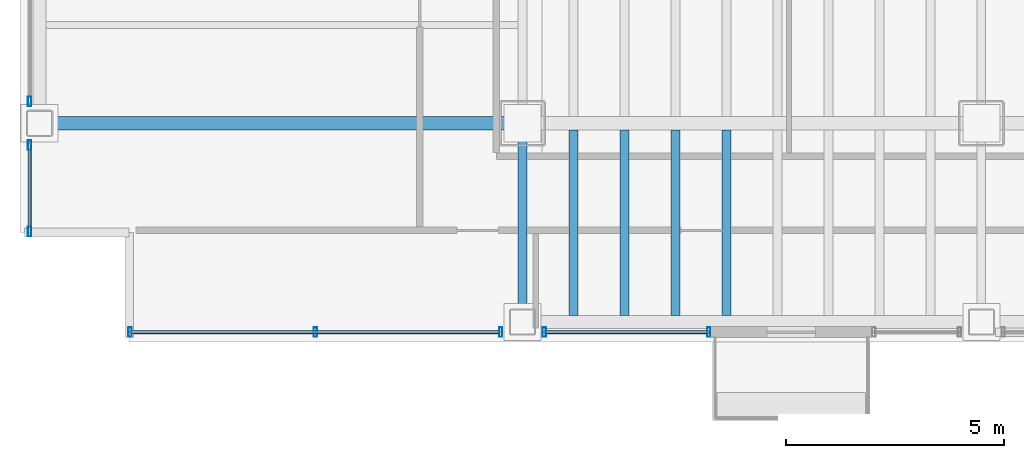
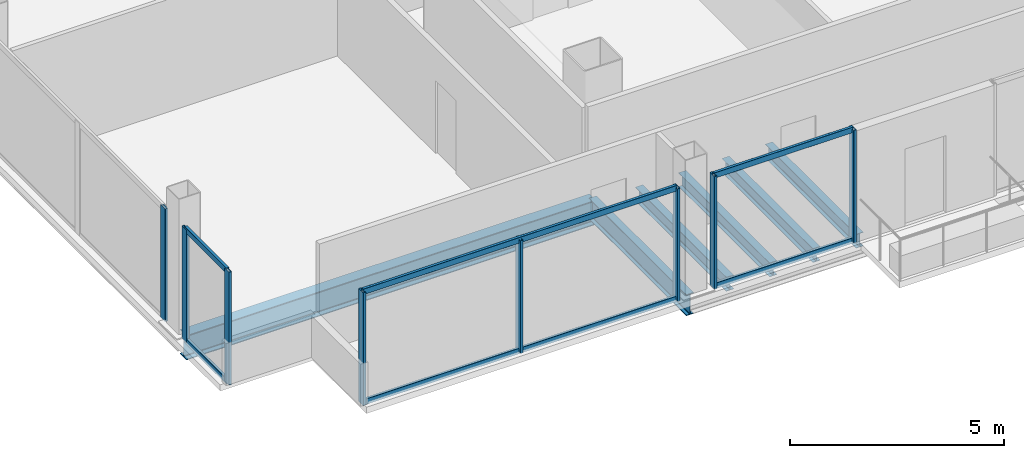
# One storey, part 2 of 21: 14 members, 6 beams, 4 elements without a shape of their own.
"""IFC4 building model written with IfcOpenShell, lengths in metres."""

import ifcopenshell
import ifcopenshell.guid

model = None  # the IFC model being written
_history = None  # IfcOwnerHistory: only IFC2X3 demands one
_inside = {}  # id of a spatial element -> (the spatial element, [elements in it])
_under = {}  # id of a project, library or spatial element -> (it, [spatial elements below it])
_declared = {}  # id of a project -> (the project, [libraries it declares])
_typed = {}  # id of a type object -> (the type object, [elements of that type])
_made_of = {}  # id of a material, layer set ... -> (it, [elements and type objects made of it])


def new_model(schema):
    """Start an empty IFC model of exactly this schema.

    Asked for "IFC4X3", IfcOpenShell would pick the latest addendum, in which some entities
    have other attributes; the version numbers below select the first issue.
    IFC2X3 requires an IfcOwnerHistory on every rooted entity: one is made here for all.
    """
    global model, _history
    if schema == "IFC4X3":
        model = ifcopenshell.file(schema_version=(4, 3, 0, 0))
    else:
        model = ifcopenshell.file(schema=schema)
    _inside.clear()
    _under.clear()
    _declared.clear()
    _typed.clear()
    _made_of.clear()
    _history = None
    if model.schema == "IFC2X3":
        org = make("IfcOrganization", Name="unknown")
        user = make(
            "IfcPersonAndOrganization",
            ThePerson=make("IfcPerson", FamilyName="unknown"),
            TheOrganization=org,
        )
        app = make(
            "IfcApplication",
            ApplicationDeveloper=org,
            Version="unknown",
            ApplicationFullName="unknown",
            ApplicationIdentifier="unknown",
        )
        _history = make(
            "IfcOwnerHistory",
            OwningUser=user,
            OwningApplication=app,
            ChangeAction="ADDED",
            CreationDate=0,
        )
    return model


def make(cls, **values):
    """One entity of the class cls with the attributes given. An attribute that is None is left unset."""
    return model.create_entity(
        cls, **{name: value for name, value in values.items() if value is not None}
    )


def rooted(cls, **values):
    """An entity with a GlobalId (a new one), such as an element, a storey or a relation."""
    return make(cls, GlobalId=ifcopenshell.guid.new(), OwnerHistory=_history, **values)


def si_unit(unit_type, name, prefix=None):
    """IfcSIUnit, for example si_unit("LENGTHUNIT", "METRE", prefix="MILLI")."""
    return make("IfcSIUnit", UnitType=unit_type, Prefix=prefix, Name=name)


def assignment(units):
    """IfcUnitAssignment: the units of a project."""
    return None if units is None else make("IfcUnitAssignment", Units=units)


def point(xyz):
    """IfcCartesianPoint."""
    return None if xyz is None else make("IfcCartesianPoint", Coordinates=xyz)


def direction(xyz):
    """IfcDirection."""
    return None if xyz is None else make("IfcDirection", DirectionRatios=xyz)


def frame(location, z_axis=None, x_axis=None):
    """IfcAxis2Placement3D, a coordinate frame: its origin and axes. An axis left out is left unset."""
    return make(
        "IfcAxis2Placement3D",
        Location=point(location),
        Axis=direction(z_axis),
        RefDirection=direction(x_axis),
    )


def frame_2d(location, x_axis=None):
    """IfcAxis2Placement2D, a coordinate frame in the plane: its origin and x axis."""
    return make(
        "IfcAxis2Placement2D", Location=point(location), RefDirection=direction(x_axis)
    )


def origin():
    """The frame at (0, 0, 0) with its axes left unset."""
    return frame((0.0, 0.0, 0.0))


def origin_2d():
    """The frame at (0, 0) in the plane with its x axis left unset."""
    return frame_2d((0.0, 0.0))


def place(relative_to, where):
    """IfcLocalPlacement: puts the frame where relative to a parent placement (None: the world)."""
    return make(
        "IfcLocalPlacement", PlacementRelTo=relative_to, RelativePlacement=where
    )


def context(
    kind, dimensions, precision=None, world=None, true_north=None, identifier=None
):
    """IfcGeometricRepresentationContext, for example the 3D "Model" context."""
    return make(
        "IfcGeometricRepresentationContext",
        ContextIdentifier=identifier,
        ContextType=kind,
        CoordinateSpaceDimension=dimensions,
        Precision=precision,
        WorldCoordinateSystem=world,
        TrueNorth=true_north,
    )


def subcontext(parent, identifier, kind, view, scale=None):
    """IfcGeometricRepresentationSubContext, for example "Body" below "Model"."""
    return make(
        "IfcGeometricRepresentationSubContext",
        ContextIdentifier=identifier,
        ContextType=kind,
        ParentContext=parent,
        TargetScale=scale,
        TargetView=view,
    )


def project(units=None, contexts=None):
    """IfcProject with its units and contexts."""
    return rooted(
        "IfcProject",
        Name="project",
        RepresentationContexts=contexts,
        UnitsInContext=assignment(units),
    )


def spatial(cls, under=None, at=None, **own):
    """A site, building, storey or space (cls), placed at a placement, below another one or the project."""
    s = rooted(cls, ObjectPlacement=at, **own)
    if under is not None:
        _under.setdefault(under.id(), (under, []))[1].append(s)
    return s


def profile(cls, at=None, kind="AREA", **sizes):
    """A parametric profile (cls). Its sizes go by their IFC names, for example OverallWidth=200.0."""
    return make(cls, ProfileType=kind, Position=at, **sizes)


def hollow_rectangle(**sizes):
    """IfcRectangleHollowProfileDef."""
    return profile("IfcRectangleHollowProfileDef", **sizes)


def i_section(**sizes):
    """IfcIShapeProfileDef."""
    return profile("IfcIShapeProfileDef", **sizes)


def extrude(swept, where, along, depth):
    """IfcExtrudedAreaSolid: the profile swept, set in the frame where, extruded along a direction by depth."""
    return make(
        "IfcExtrudedAreaSolid",
        SweptArea=swept,
        Position=where,
        ExtrudedDirection=direction(along),
        Depth=depth,
    )


def shape(context_of_items, identifier, shape_type, items):
    """IfcShapeRepresentation: the items that make up one representation, for example the "Body"."""
    return make(
        "IfcShapeRepresentation",
        ContextOfItems=context_of_items,
        RepresentationIdentifier=identifier,
        RepresentationType=shape_type,
        Items=items,
    )


def material(Name=None, Category=None):
    """IfcMaterial."""
    return make("IfcMaterial", Name=Name, Category=Category)


def material_profile(
    of_material, cross_section, Name=None, Category=None, Priority=None
):
    """IfcMaterialProfile: a cross section and its material."""
    return make(
        "IfcMaterialProfile",
        Name=Name,
        Material=of_material,
        Profile=cross_section,
        Priority=Priority,
        Category=Category,
    )


def profile_set(profiles, Name=None, composite=None):
    """IfcMaterialProfileSet."""
    return make(
        "IfcMaterialProfileSet",
        Name=Name,
        MaterialProfiles=profiles,
        CompositeProfile=composite,
    )


def made_of(thing, what):
    """Note that an element or type object is made of a material, layer set ...; save() writes the relation."""
    if what is not None:
        _made_of.setdefault(what.id(), (what, []))[1].append(thing)
    return thing


def type_object(cls, material=None, **own):
    """A type object (cls), such as IfcWallType, which elements share."""
    return made_of(rooted(cls, **own), material)


def element(
    cls,
    number,
    at=None,
    inside=None,
    cuts=None,
    type_object=None,
    material=None,
    context=None,
    identifier="Body",
    shape_type=None,
    held_by="IfcProductDefinitionShape",
    body=None,
    shapes=None,
    **own,
):
    """One element of the class cls, such as IfcWall. Its Tag is "e" and its number.

    at: its placement. inside: the storey or other place that contains it. cuts: it is an
    opening in that element (IfcRelVoidsElement). A single representation is given by context,
    identifier, shape_type and body (its items); several are given by shapes. held_by: the class
    of the entity that holds the representations. save() writes the other relations.
    """
    e = rooted(cls, Tag="e%d" % number, ObjectPlacement=at, **own)
    if body is not None:
        shapes = [shape(context, identifier, shape_type, body)]
    if shapes is not None:
        e.Representation = make(held_by, Representations=shapes)
    if inside is not None:
        _inside.setdefault(inside.id(), (inside, []))[1].append(e)
    if cuts is not None:
        rooted(
            "IfcRelVoidsElement", RelatingBuildingElement=cuts, RelatedOpeningElement=e
        )
    if type_object is not None:
        _typed.setdefault(type_object.id(), (type_object, []))[1].append(e)
    return made_of(e, material)


def aggregate(whole, parts):
    """IfcRelAggregates: a whole, such as a stair, and the parts it consists of."""
    return rooted("IfcRelAggregates", RelatingObject=whole, RelatedObjects=parts)


def save(model, path):
    """Write the relations noted so far, then the file.

    IfcRelAggregates (storeys below a building ...), IfcRelContainedInSpatialStructure (elements
    in a storey), IfcRelDefinesByType, IfcRelAssociatesMaterial and IfcRelDeclares: one each for
    every whole, place, type object, material and project.
    """
    for whole, parts in _under.values():
        aggregate(whole, parts)
    for where, things in _inside.values():
        rooted(
            "IfcRelContainedInSpatialStructure",
            RelatedElements=things,
            RelatingStructure=where,
        )
    for kind, things in _typed.values():
        rooted("IfcRelDefinesByType", RelatedObjects=things, RelatingType=kind)
    for what, things in _made_of.values():
        rooted("IfcRelAssociatesMaterial", RelatedObjects=things, RelatingMaterial=what)
    for by, libraries in _declared.values():
        rooted("IfcRelDeclares", RelatingContext=by, RelatedDefinitions=libraries)
    model.write(path)


model = new_model("IFC4")

# Units and contexts
model_context = context("Model", 3, precision=1e-05, world=origin(), true_north=direction((0.0, 1.0)))
body_context = subcontext(model_context, "Body", "Model", "MODEL_VIEW")
ifc_project = project(units=[si_unit("LENGTHUNIT", "METRE"), si_unit("AREAUNIT", "SQUARE_METRE"), si_unit("VOLUMEUNIT", "CUBIC_METRE"), si_unit("PLANEANGLEUNIT", "RADIAN"), si_unit("MASSUNIT", "GRAM", prefix="KILO")], contexts=[model_context])

# Site, building, storey
site_placement = place(None, origin())
site = spatial("IfcSite", under=ifc_project, at=site_placement, CompositionType="ELEMENT")
building_placement = place(site_placement, origin())
building = spatial("IfcBuilding", under=site, at=building_placement, Name="Noeulbin Bourse Tower", CompositionType="ELEMENT")
storey_placement = place(building_placement, frame((0.0, 0.0, 42.10009765625)))
storey = spatial("IfcBuildingStorey", under=building, at=storey_placement, Name="L10", CompositionType="ELEMENT", Elevation=42.10009765625)

# Beams
ifc_material_1 = material(Name="Steel S355", Category="steel")
ifc_material_profile_1 = material_profile(ifc_material_1, i_section(OverallWidth=0.199951171875, OverallDepth=0.60009765625, WebThickness=0.010986328125, FlangeThickness=0.01708984375, FilletRadius=0.02197265625, at=origin_2d()), Name="H-600x200x11x17", Category="LoadBearing")
ifc_profile_set_1 = profile_set([ifc_material_profile_1], Name="Steel S355")
beam_type_1 = type_object("IfcBeamType", Name="BM-GRD-600", PredefinedType="USERDEFINED", material=ifc_profile_set_1)
beam_1_placement = place(storey_placement, frame((13.5, 15.449951171875, -0.47998046875), z_axis=(0.0, 1.0, 0.0), x_axis=(-1.0, 0.0, 0.0)))
element("IfcBeam", 1, at=beam_1_placement, inside=storey, type_object=beam_type_1, Name="Tower Primary Girder NS L10-1.1", ObjectType="GIRDER", PredefinedType="USERDEFINED", context=body_context, shape_type="SweptSolid", body=[
    extrude(i_section(OverallWidth=0.199951171875, OverallDepth=0.60009765625, WebThickness=0.010986328125, FlangeThickness=0.01708984375, FilletRadius=0.02197265625, at=origin_2d()), origin(), (0.0, 0.0, 1.0), 4.550048828125),
])
ifc_material_profile_2 = material_profile(ifc_material_1, i_section(OverallWidth=0.300048828125, OverallDepth=0.699951171875, WebThickness=0.012939453125, FlangeThickness=0.02392578125, FilletRadius=0.02392578125, at=origin_2d()), Name="H-700x300x13x24", Category="LoadBearing")
ifc_profile_set_2 = profile_set([ifc_material_profile_2], Name="Steel S355")
beam_type_2 = type_object("IfcBeamType", Name="BM-GRD-700", PredefinedType="USERDEFINED", material=ifc_profile_set_2)
beam_2_placement = place(storey_placement, frame((2.449951171875, 20.0, -0.530029296875), z_axis=(1.0, 0.0, 0.0), x_axis=(0.0, 1.0, 0.0)))
element("IfcBeam", 2, at=beam_2_placement, inside=storey, type_object=beam_type_2, Name="Tower Primary Girder EW L10-1.1", ObjectType="GIRDER", PredefinedType="USERDEFINED", context=body_context, shape_type="SweptSolid", body=[
    extrude(i_section(OverallWidth=0.300048828125, OverallDepth=0.699951171875, WebThickness=0.012939453125, FlangeThickness=0.02392578125, FilletRadius=0.02392578125, at=origin_2d()), origin(), (0.0, 0.0, 1.0), 11.050048828125),
])
ifc_material_profile_3 = material_profile(ifc_material_1, i_section(OverallWidth=0.199951171875, OverallDepth=0.39990234375, WebThickness=0.008056640625, FlangeThickness=0.012939453125, FilletRadius=0.01611328125, at=origin_2d()), Name="H-400x200x8x13", Category="LoadBearing")
ifc_profile_set_3 = profile_set([ifc_material_profile_3], Name="Steel S355")
beam_type_3 = type_object("IfcBeamType", Name="BM-SEC-400", PredefinedType="BEAM", material=ifc_profile_set_3)
for number, where, z_axis, x_axis, name in (
    (3, (14.666748046875, 15.60009765625, -0.380126953125), (0.0, 1.0, 0.0), (-1.0, 0.0, 0.0), "Tower Composite Joist L10-01"),
    (4, (15.833251953125, 15.60009765625, -0.380126953125), (0.0, 1.0, 0.0), (-1.0, 0.0, 0.0), "Tower Composite Joist L10-04"),
    (5, (17.0, 15.60009765625, -0.380126953125), (0.0, 1.0, 0.0), (-1.0, 0.0, 0.0), "Tower Composite Joist L10-07"),
    (6, (18.166748046875, 15.60009765625, -0.380126953125), (0.0, 1.0, 0.0), (-1.0, 0.0, 0.0), "Tower Composite Joist L10-10"),
):
    element("IfcBeam", number, at=place(storey_placement, frame(where, z_axis=z_axis, x_axis=x_axis)), inside=storey, type_object=beam_type_3, Name=name, PredefinedType="BEAM", context=body_context, shape_type="SweptSolid", body=[
        extrude(i_section(OverallWidth=0.199951171875, OverallDepth=0.39990234375, WebThickness=0.008056640625, FlangeThickness=0.012939453125, FilletRadius=0.01611328125, at=origin_2d()), origin(), (0.0, 0.0, 1.0), 4.25),
    ])

# Curtain wall, members
ifc_material_2 = material(Name="Dark Solar-Control Double Glazing", Category="glass")
curtain_wall_type = type_object("IfcCurtainWallType", Name="CW-SYS-2", PredefinedType="NOTDEFINED", material=ifc_material_2)
curtain_wall_1_placement = place(storey_placement, origin())
curtain_wall_1 = element("IfcCurtainWall", 7, at=curtain_wall_1_placement, inside=storey, type_object=curtain_wall_type, Name="Unitised Curtain Wall CW-L10-S1-S1", PredefinedType="NOTDEFINED")
ifc_material_3 = material(Name="Anodised Aluminium 6063-T6", Category="aluminium")
ifc_material_profile_4 = material_profile(ifc_material_3, hollow_rectangle(XDim=0.074951171875, YDim=0.219970703125, WallThickness=0.0048828125, InnerFilletRadius=0.00244140625, OuterFilletRadius=0.0048828125, at=origin_2d()), Name="ALU-MULL-75x220x5", Category="LoadBearing")
ifc_profile_set_4 = profile_set([ifc_material_profile_4], Name="Anodised Aluminium 6063-T6")
member_type_1 = type_object("IfcMemberType", Name="CW-SYS-2-MUL", PredefinedType="MULLION", material=ifc_profile_set_4)
member_1_placement = place(storey_placement, frame((4.52001953125, 15.219970703125, -0.02001953125), z_axis=(0.0, 0.0, 1.0), x_axis=(1.0, 0.0, 0.0)))
member_1 = element("IfcMember", 8, at=member_1_placement, type_object=member_type_1, Name="Curtain Wall Mullion CW-L10-S1-S1-M00", PredefinedType="MULLION", context=body_context, shape_type="SweptSolid", body=[
    extrude(hollow_rectangle(XDim=0.074951171875, YDim=0.219970703125, WallThickness=0.0048828125, InnerFilletRadius=0.00244140625, OuterFilletRadius=0.0048828125, at=origin_2d()), origin(), (0.0, 0.0, 1.0), 3.219970703125),
])
member_2_placement = place(storey_placement, frame((8.760009765625, 15.219970703125, -0.02001953125), z_axis=(0.0, 0.0, 1.0), x_axis=(1.0, 0.0, 0.0)))
member_2 = element("IfcMember", 9, at=member_2_placement, type_object=member_type_1, Name="Curtain Wall Mullion CW-L10-S1-S1-M01", PredefinedType="MULLION", context=body_context, shape_type="SweptSolid", body=[
    extrude(hollow_rectangle(XDim=0.074951171875, YDim=0.219970703125, WallThickness=0.0048828125, InnerFilletRadius=0.00244140625, OuterFilletRadius=0.0048828125, at=origin_2d()), origin(), (0.0, 0.0, 1.0), 3.219970703125),
])
member_3_placement = place(storey_placement, frame((13.0, 15.219970703125, -0.02001953125), z_axis=(0.0, 0.0, 1.0), x_axis=(1.0, 0.0, 0.0)))
member_3 = element("IfcMember", 10, at=member_3_placement, type_object=member_type_1, Name="Curtain Wall Mullion CW-L10-S1-S1-M02", PredefinedType="MULLION", context=body_context, shape_type="SweptSolid", body=[
    extrude(hollow_rectangle(XDim=0.074951171875, YDim=0.219970703125, WallThickness=0.0048828125, InnerFilletRadius=0.00244140625, OuterFilletRadius=0.0048828125, at=origin_2d()), origin(), (0.0, 0.0, 1.0), 3.219970703125),
])

curtain_wall_2_placement = place(storey_placement, origin())
curtain_wall_2 = element("IfcCurtainWall", 11, at=curtain_wall_2_placement, inside=storey, type_object=curtain_wall_type, Name="Unitised Curtain Wall CW-L10-S1-S2", PredefinedType="NOTDEFINED")
member_4_placement = place(storey_placement, frame((14.0, 15.219970703125, -0.02001953125), z_axis=(0.0, 0.0, 1.0), x_axis=(1.0, 0.0, 0.0)))
member_4 = element("IfcMember", 12, at=member_4_placement, type_object=member_type_1, Name="Curtain Wall Mullion CW-L10-S1-S2-M00", PredefinedType="MULLION", context=body_context, shape_type="SweptSolid", body=[
    extrude(hollow_rectangle(XDim=0.074951171875, YDim=0.219970703125, WallThickness=0.0048828125, InnerFilletRadius=0.00244140625, OuterFilletRadius=0.0048828125, at=origin_2d()), origin(), (0.0, 0.0, 1.0), 3.219970703125),
])
member_5_placement = place(storey_placement, frame((17.760009765625, 15.219970703125, -0.02001953125), z_axis=(0.0, 0.0, 1.0), x_axis=(1.0, 0.0, 0.0)))
member_5 = element("IfcMember", 13, at=member_5_placement, type_object=member_type_1, Name="Curtain Wall Mullion CW-L10-S1-S2-M01", PredefinedType="MULLION", context=body_context, shape_type="SweptSolid", body=[
    extrude(hollow_rectangle(XDim=0.074951171875, YDim=0.219970703125, WallThickness=0.0048828125, InnerFilletRadius=0.00244140625, OuterFilletRadius=0.0048828125, at=origin_2d()), origin(), (0.0, 0.0, 1.0), 3.219970703125),
])

curtain_wall_3_placement = place(storey_placement, origin())
curtain_wall_3 = element("IfcCurtainWall", 14, at=curtain_wall_3_placement, inside=storey, type_object=curtain_wall_type, Name="Unitised Curtain Wall CW-L10-W-S1", PredefinedType="NOTDEFINED")
member_6_placement = place(storey_placement, frame((2.219970703125, 17.52001953125, -0.02001953125), z_axis=(0.0, 0.0, 1.0), x_axis=(1.0, 0.0, 0.0)))
member_6 = element("IfcMember", 15, at=member_6_placement, type_object=member_type_1, Name="Curtain Wall Mullion CW-L10-W-S1-M00", PredefinedType="MULLION", context=body_context, shape_type="SweptSolid", body=[
    extrude(hollow_rectangle(XDim=0.074951171875, YDim=0.219970703125, WallThickness=0.0048828125, InnerFilletRadius=0.00244140625, OuterFilletRadius=0.0048828125, at=origin_2d()), origin(), (0.0, 0.0, 1.0), 3.219970703125),
])
member_7_placement = place(storey_placement, frame((2.219970703125, 19.5, -0.02001953125), z_axis=(0.0, 0.0, 1.0), x_axis=(1.0, 0.0, 0.0)))
member_7 = element("IfcMember", 16, at=member_7_placement, type_object=member_type_1, Name="Curtain Wall Mullion CW-L10-W-S1-M01", PredefinedType="MULLION", context=body_context, shape_type="SweptSolid", body=[
    extrude(hollow_rectangle(XDim=0.074951171875, YDim=0.219970703125, WallThickness=0.0048828125, InnerFilletRadius=0.00244140625, OuterFilletRadius=0.0048828125, at=origin_2d()), origin(), (0.0, 0.0, 1.0), 3.219970703125),
])

# Curtain wall, member
curtain_wall_4_placement = place(storey_placement, origin())
curtain_wall_4 = element("IfcCurtainWall", 17, at=curtain_wall_4_placement, inside=storey, type_object=curtain_wall_type, Name="Unitised Curtain Wall CW-L10-W-S2", PredefinedType="NOTDEFINED")
member_8_placement = place(storey_placement, frame((2.219970703125, 20.5, -0.02001953125), z_axis=(0.0, 0.0, 1.0), x_axis=(1.0, 0.0, 0.0)))
member_8 = element("IfcMember", 18, at=member_8_placement, type_object=member_type_1, Name="Curtain Wall Mullion CW-L10-W-S2-M00", PredefinedType="MULLION", context=body_context, shape_type="SweptSolid", body=[
    extrude(hollow_rectangle(XDim=0.074951171875, YDim=0.219970703125, WallThickness=0.0048828125, InnerFilletRadius=0.00244140625, OuterFilletRadius=0.0048828125, at=origin_2d()), origin(), (0.0, 0.0, 1.0), 3.219970703125),
])
aggregate(curtain_wall_4, [member_8])

# Member
ifc_material_profile_5 = material_profile(ifc_material_3, hollow_rectangle(XDim=0.074951171875, YDim=0.159912109375, WallThickness=0.0048828125, InnerFilletRadius=0.00244140625, OuterFilletRadius=0.0048828125, at=origin_2d()), Name="ALU-TRAN-75x160x5", Category="LoadBearing")
ifc_profile_set_5 = profile_set([ifc_material_profile_5], Name="Anodised Aluminium 6063-T6")
member_type_2 = type_object("IfcMemberType", Name="CW-SYS-2-TRN", PredefinedType="USERDEFINED", material=ifc_profile_set_5)
member_9_placement = place(storey_placement, frame((4.530029296875, 15.219970703125, 0.010009765625), z_axis=(1.0, 0.0, 0.0), x_axis=(0.0, 1.0, 0.0)))
member_9 = element("IfcMember", 19, at=member_9_placement, type_object=member_type_2, Name="Curtain Wall Transom CW-L10-S1-S1-T00", ObjectType="TRANSOM", PredefinedType="USERDEFINED", context=body_context, shape_type="SweptSolid", body=[
    extrude(hollow_rectangle(XDim=0.074951171875, YDim=0.159912109375, WallThickness=0.0048828125, InnerFilletRadius=0.00244140625, OuterFilletRadius=0.0048828125, at=origin_2d()), origin(), (0.0, 0.0, 1.0), 8.4599609375),
])

member_10_placement = place(storey_placement, frame((4.530029296875, 15.219970703125, 3.169921875), z_axis=(1.0, 0.0, 0.0), x_axis=(0.0, 1.0, 0.0)))
member_10 = element("IfcMember", 20, at=member_10_placement, type_object=member_type_2, Name="Curtain Wall Transom CW-L10-S1-S1-T01", ObjectType="TRANSOM", PredefinedType="USERDEFINED", context=body_context, shape_type="SweptSolid", body=[
    extrude(hollow_rectangle(XDim=0.074951171875, YDim=0.159912109375, WallThickness=0.0048828125, InnerFilletRadius=0.00244140625, OuterFilletRadius=0.0048828125, at=origin_2d()), origin(), (0.0, 0.0, 1.0), 8.4599609375),
])

aggregate(curtain_wall_1, [member_1, member_2, member_3, member_9, member_10])

member_11_placement = place(storey_placement, frame((14.010009765625, 15.219970703125, 0.010009765625), z_axis=(1.0, 0.0, 0.0), x_axis=(0.0, 1.0, 0.0)))
member_11 = element("IfcMember", 21, at=member_11_placement, type_object=member_type_2, Name="Curtain Wall Transom CW-L10-S1-S2-T00", ObjectType="TRANSOM", PredefinedType="USERDEFINED", context=body_context, shape_type="SweptSolid", body=[
    extrude(hollow_rectangle(XDim=0.074951171875, YDim=0.159912109375, WallThickness=0.0048828125, InnerFilletRadius=0.00244140625, OuterFilletRadius=0.0048828125, at=origin_2d()), origin(), (0.0, 0.0, 1.0), 3.739990234375),
])

member_12_placement = place(storey_placement, frame((14.010009765625, 15.219970703125, 3.169921875), z_axis=(1.0, 0.0, 0.0), x_axis=(0.0, 1.0, 0.0)))
member_12 = element("IfcMember", 22, at=member_12_placement, type_object=member_type_2, Name="Curtain Wall Transom CW-L10-S1-S2-T01", ObjectType="TRANSOM", PredefinedType="USERDEFINED", context=body_context, shape_type="SweptSolid", body=[
    extrude(hollow_rectangle(XDim=0.074951171875, YDim=0.159912109375, WallThickness=0.0048828125, InnerFilletRadius=0.00244140625, OuterFilletRadius=0.0048828125, at=origin_2d()), origin(), (0.0, 0.0, 1.0), 3.739990234375),
])

aggregate(curtain_wall_2, [member_4, member_5, member_11, member_12])

member_13_placement = place(storey_placement, frame((2.219970703125, 17.530029296875, 0.010009765625), z_axis=(0.0, 1.0, 0.0), x_axis=(-1.0, 0.0, 0.0)))
member_13 = element("IfcMember", 23, at=member_13_placement, type_object=member_type_2, Name="Curtain Wall Transom CW-L10-W-S1-T00", ObjectType="TRANSOM", PredefinedType="USERDEFINED", context=body_context, shape_type="SweptSolid", body=[
    extrude(hollow_rectangle(XDim=0.074951171875, YDim=0.159912109375, WallThickness=0.0048828125, InnerFilletRadius=0.00244140625, OuterFilletRadius=0.0048828125, at=origin_2d()), origin(), (0.0, 0.0, 1.0), 1.9599609375),
])

member_14_placement = place(storey_placement, frame((2.219970703125, 17.530029296875, 3.169921875), z_axis=(0.0, 1.0, 0.0), x_axis=(-1.0, 0.0, 0.0)))
member_14 = element("IfcMember", 24, at=member_14_placement, type_object=member_type_2, Name="Curtain Wall Transom CW-L10-W-S1-T01", ObjectType="TRANSOM", PredefinedType="USERDEFINED", context=body_context, shape_type="SweptSolid", body=[
    extrude(hollow_rectangle(XDim=0.074951171875, YDim=0.159912109375, WallThickness=0.0048828125, InnerFilletRadius=0.00244140625, OuterFilletRadius=0.0048828125, at=origin_2d()), origin(), (0.0, 0.0, 1.0), 1.9599609375),
])

aggregate(curtain_wall_3, [member_6, member_7, member_13, member_14])

save(model, "model.ifc")
